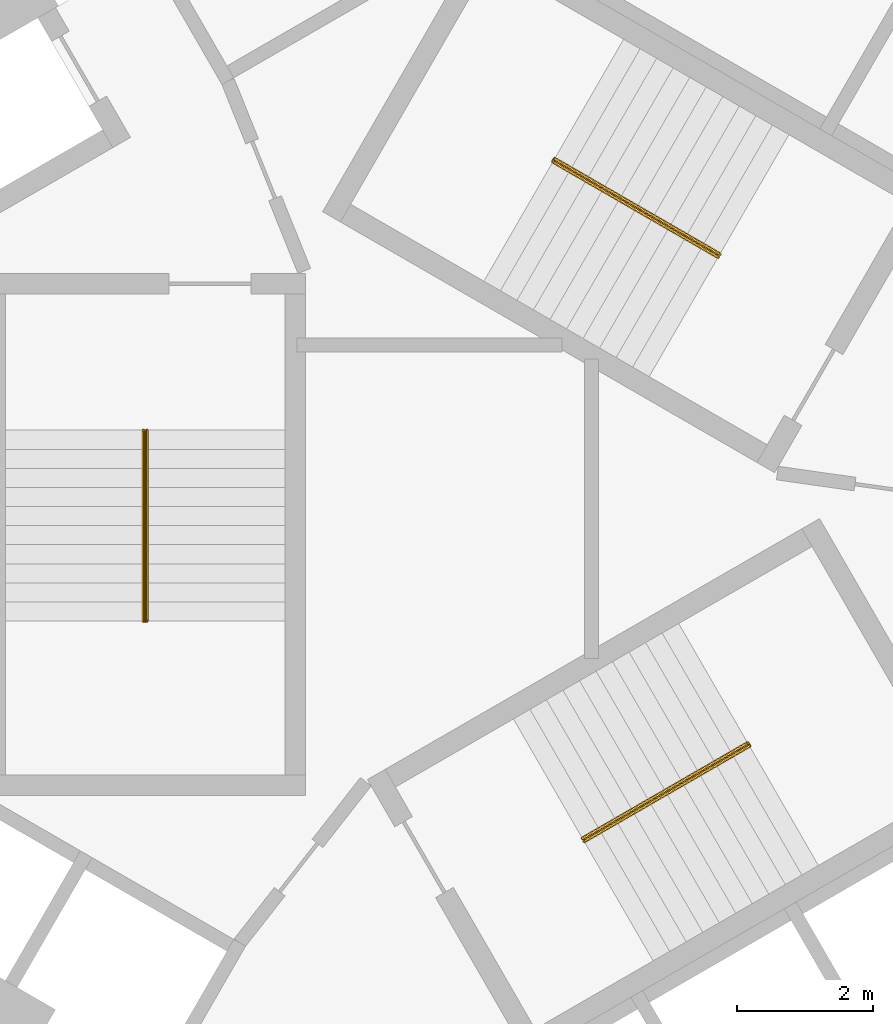
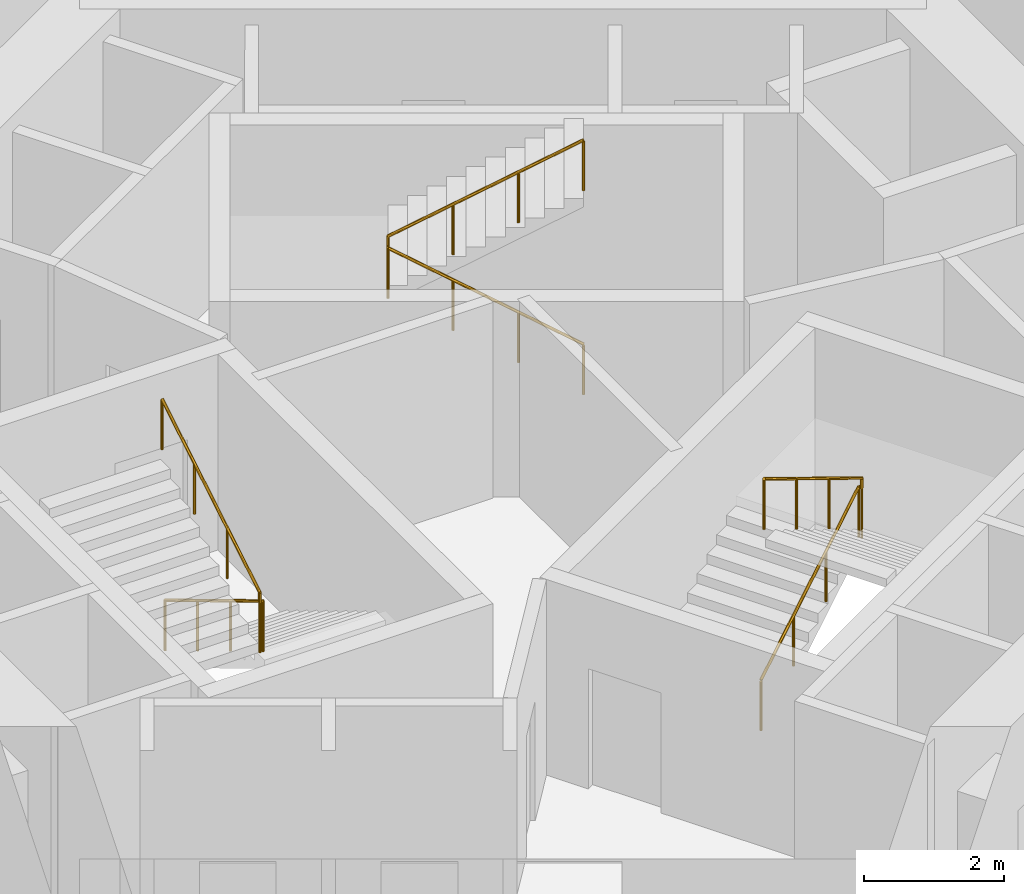
# One storey, part 11 of 11: 3 railings.
"""IFC4 building model written with IfcOpenShell, lengths in metres."""

from ifc_helpers import new_model, si_unit, direction, frame, origin, origin_2d, place, context, subcontext, project, spatial, circle, extrude, material, type_object, element, save


model = new_model("IFC4")

# Units and contexts
model_context = context("Model", 3, precision=1e-05, world=origin(), true_north=direction((0.0, 1.0)))
body_context = subcontext(model_context, "Body", "Model", "MODEL_VIEW")
ifc_project = project(units=[si_unit("LENGTHUNIT", "METRE"), si_unit("AREAUNIT", "SQUARE_METRE"), si_unit("VOLUMEUNIT", "CUBIC_METRE"), si_unit("PLANEANGLEUNIT", "RADIAN"), si_unit("MASSUNIT", "GRAM", prefix="KILO")], contexts=[model_context])

# Site, building, storey
site_placement = place(None, origin())
site = spatial("IfcSite", under=ifc_project, at=site_placement, CompositionType="ELEMENT")
building_placement = place(site_placement, origin())
building = spatial("IfcBuilding", under=site, at=building_placement, Name="Vanh Sen Convention Tower", CompositionType="ELEMENT")
storey_placement = place(building_placement, frame((0.0, 0.0, 198.39990234375)))
storey = spatial("IfcBuildingStorey", under=building, at=storey_placement, Name="L49", CompositionType="ELEMENT", Elevation=198.39990234375)

# Railings
ifc_material = material(Name="Stainless steel handrail", Category="steel")
railing_type = type_object("IfcRailingType", Name="Stair handrail 900", PredefinedType="HANDRAIL", material=ifc_material)
railing_1_placement = place(storey_placement, frame((3.45849609375, 3.690185546875, 0.168212890625)))
element("IfcRailing", 1, at=railing_1_placement, inside=storey, type_object=railing_type, Name="Stair handrail ST1 L49", PredefinedType="HANDRAIL", context=body_context, shape_type="SweptSolid", body=[
    extrude(circle(Radius=0.02392578125, at=origin_2d()), frame((0.0, 0.0, 0.8759765625), z_axis=(-0.742390482028, 0.42860119049, 0.514934356695), x_axis=(-0.49998411664, -0.866034573852, 0.0)), (0.0, 0.0, 1.0), 3.26611328125),
    extrude(circle(Radius=0.02392578125, at=origin_2d()), frame((-2.4248046875, 1.39990234375, 2.5576171875), z_axis=(0.497188445666, 0.867642581652, 0.0), x_axis=(-0.867642581652, 0.497188445666, 0.0)), (0.0, 0.0, 1.0), 0.050048828125),
    extrude(circle(Radius=0.02392578125, at=origin_2d()), frame((-2.39990234375, 1.443359375, 2.5576171875), z_axis=(0.0, 0.0, 1.0), x_axis=(1.0, 0.0, 0.0)), (0.0, 0.0, 1.0), 0.168212890625),
    extrude(circle(Radius=0.02392578125, at=origin_2d()), frame((-2.39990234375, 1.443359375, 2.72607421875), z_axis=(0.742366697286, -0.42866220388, 0.514917859203), x_axis=(0.500049511043, 0.865996816683, 0.0)), (0.0, 0.0, 1.0), 3.266357421875),
    extrude(circle(Radius=0.02099609375, at=origin_2d()), origin(), (0.0, 0.0, 1.0), 0.851806640625),
    extrude(circle(Radius=0.02099609375, at=origin_2d()), frame((-0.808349609375, 0.466552734375, 0.560546875)), (0.0, 0.0, 1.0), 0.851806640625),
    extrude(circle(Radius=0.02099609375, at=origin_2d()), frame((-1.616455078125, 0.933349609375, 1.121337890625)), (0.0, 0.0, 1.0), 0.851806640625),
    extrude(circle(Radius=0.02099609375, at=origin_2d()), frame((-2.4248046875, 1.39990234375, 1.681884765625)), (0.0, 0.0, 1.0), 0.851806640625),
    extrude(circle(Radius=0.02099609375, at=origin_2d()), frame((-2.39990234375, 1.443359375, 1.681884765625)), (0.0, 0.0, 1.0), 0.851806640625),
    extrude(circle(Radius=0.02099609375, at=origin_2d()), frame((-2.39990234375, 1.443359375, 1.85009765625)), (0.0, 0.0, 1.0), 0.851806640625),
    extrude(circle(Radius=0.02099609375, at=origin_2d()), frame((-1.591552734375, 0.9765625, 2.41064453125)), (0.0, 0.0, 1.0), 0.851806640625),
    extrude(circle(Radius=0.02099609375, at=origin_2d()), frame((-0.783447265625, 0.510009765625, 2.971435546875)), (0.0, 0.0, 1.0), 0.851806640625),
    extrude(circle(Radius=0.02099609375, at=origin_2d()), frame((0.02490234375, 0.043212890625, 3.531982421875)), (0.0, 0.0, 1.0), 0.851806640625),
])
railing_2_placement = place(storey_placement, frame((-4.925048828125, 1.14990234375, 0.168212890625)))
element("IfcRailing", 2, at=railing_2_placement, inside=storey, type_object=railing_type, Name="Stair handrail ST2 L49", PredefinedType="HANDRAIL", context=body_context, shape_type="SweptSolid", body=[
    extrude(circle(Radius=0.02392578125, at=origin_2d()), frame((0.0, 0.0, 0.8759765625), z_axis=(0.0, -0.857222391501, 0.514946377315), x_axis=(1.0, 0.0, 0.0)), (0.0, 0.0, 1.0), 3.26611328125),
    extrude(circle(Radius=0.02392578125, at=origin_2d()), frame((0.0, -2.7998046875, 2.5576171875), z_axis=(-1.0, 0.0, 0.0), x_axis=(0.0, -1.0, 0.0)), (0.0, 0.0, 1.0), 0.050048828125),
    extrude(circle(Radius=0.02392578125, at=origin_2d()), frame((-0.050048828125, -2.7998046875, 2.5576171875), z_axis=(0.0, 0.0, 1.0), x_axis=(1.0, 0.0, 0.0)), (0.0, 0.0, 1.0), 0.168212890625),
    extrude(circle(Radius=0.02392578125, at=origin_2d()), frame((-0.050048828125, -2.7998046875, 2.72607421875), z_axis=(0.0, 0.857222391501, 0.514946377315), x_axis=(-1.0, 0.0, 0.0)), (0.0, 0.0, 1.0), 3.26611328125),
    extrude(circle(Radius=0.02099609375, at=origin_2d()), origin(), (0.0, 0.0, 1.0), 0.851806640625),
    extrude(circle(Radius=0.02099609375, at=origin_2d()), frame((0.0, -0.933349609375, 0.560546875)), (0.0, 0.0, 1.0), 0.851806640625),
    extrude(circle(Radius=0.02099609375, at=origin_2d()), frame((0.0, -1.866455078125, 1.121337890625)), (0.0, 0.0, 1.0), 0.851806640625),
    extrude(circle(Radius=0.02099609375, at=origin_2d()), frame((0.0, -2.7998046875, 1.681884765625)), (0.0, 0.0, 1.0), 0.851806640625),
    extrude(circle(Radius=0.02099609375, at=origin_2d()), frame((-0.050048828125, -2.7998046875, 1.681884765625)), (0.0, 0.0, 1.0), 0.851806640625),
    extrude(circle(Radius=0.02099609375, at=origin_2d()), frame((-0.050048828125, -2.7998046875, 1.85009765625)), (0.0, 0.0, 1.0), 0.851806640625),
    extrude(circle(Radius=0.02099609375, at=origin_2d()), frame((-0.050048828125, -1.866455078125, 2.41064453125)), (0.0, 0.0, 1.0), 0.851806640625),
    extrude(circle(Radius=0.02099609375, at=origin_2d()), frame((-0.050048828125, -0.933349609375, 2.971435546875)), (0.0, 0.0, 1.0), 0.851806640625),
    extrude(circle(Radius=0.02099609375, at=origin_2d()), frame((-0.050048828125, 0.0, 3.531982421875)), (0.0, 0.0, 1.0), 0.851806640625),
])
railing_3_placement = place(storey_placement, frame((1.466552734375, -4.840087890625, 0.168212890625)))
element("IfcRailing", 3, at=railing_3_placement, inside=storey, type_object=railing_type, Name="Stair handrail ST3 L49", PredefinedType="HANDRAIL", context=body_context, shape_type="SweptSolid", body=[
    extrude(circle(Radius=0.02392578125, at=origin_2d()), frame((0.0, 0.0, 0.8759765625), z_axis=(0.742390482028, 0.42860119049, 0.514934356695), x_axis=(-0.49998411664, 0.866034573852, 0.0)), (0.0, 0.0, 1.0), 3.26611328125),
    extrude(circle(Radius=0.02392578125, at=origin_2d()), frame((2.4248046875, 1.39990234375, 2.5576171875), z_axis=(0.502959906984, -0.86430974307, 0.0), x_axis=(0.86430974307, 0.502959906984, 0.0)), (0.0, 0.0, 1.0), 0.050048828125),
    extrude(circle(Radius=0.02392578125, at=origin_2d()), frame((2.449951171875, 1.356689453125, 2.5576171875), z_axis=(0.0, 0.0, 1.0), x_axis=(1.0, 0.0, 0.0)), (0.0, 0.0, 1.0), 0.168212890625),
    extrude(circle(Radius=0.02392578125, at=origin_2d()), frame((2.449951171875, 1.356689453125, 2.72607421875), z_axis=(-0.742366697286, -0.42866220388, 0.514917859203), x_axis=(0.500049511043, -0.865996816683, 0.0)), (0.0, 0.0, 1.0), 3.266357421875),
    extrude(circle(Radius=0.02099609375, at=origin_2d()), origin(), (0.0, 0.0, 1.0), 0.851806640625),
    extrude(circle(Radius=0.02099609375, at=origin_2d()), frame((0.808349609375, 0.466552734375, 0.560546875)), (0.0, 0.0, 1.0), 0.851806640625),
    extrude(circle(Radius=0.02099609375, at=origin_2d()), frame((1.616455078125, 0.933349609375, 1.121337890625)), (0.0, 0.0, 1.0), 0.851806640625),
    extrude(circle(Radius=0.02099609375, at=origin_2d()), frame((2.4248046875, 1.39990234375, 1.681884765625)), (0.0, 0.0, 1.0), 0.851806640625),
    extrude(circle(Radius=0.02099609375, at=origin_2d()), frame((2.449951171875, 1.356689453125, 1.681884765625)), (0.0, 0.0, 1.0), 0.851806640625),
    extrude(circle(Radius=0.02099609375, at=origin_2d()), frame((2.449951171875, 1.356689453125, 1.85009765625)), (0.0, 0.0, 1.0), 0.851806640625),
    extrude(circle(Radius=0.02099609375, at=origin_2d()), frame((1.6416015625, 0.889892578125, 2.41064453125)), (0.0, 0.0, 1.0), 0.851806640625),
    extrude(circle(Radius=0.02099609375, at=origin_2d()), frame((0.83349609375, 0.42333984375, 2.971435546875)), (0.0, 0.0, 1.0), 0.851806640625),
    extrude(circle(Radius=0.02099609375, at=origin_2d()), frame((0.025146484375, -0.04345703125, 3.531982421875)), (0.0, 0.0, 1.0), 0.851806640625),
])

save(model, "model.ifc")
